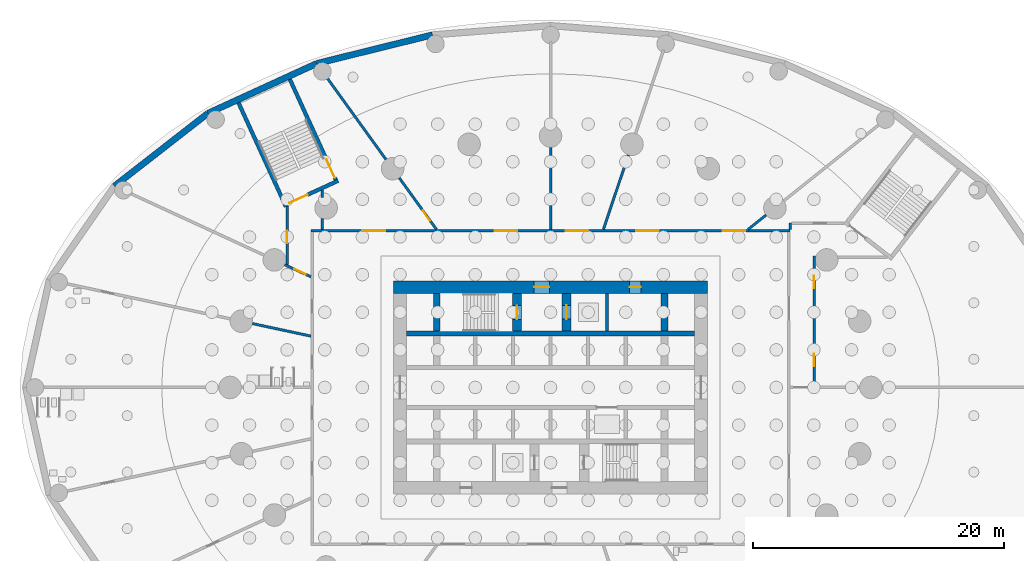
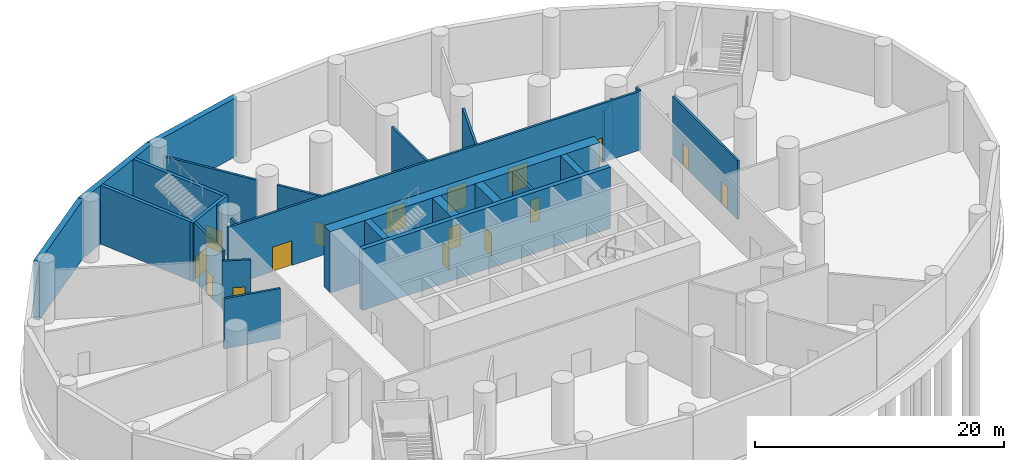
# One storey, part 6 of 12: 26 walls, 16 doors, 16 openings.
"""IFC4 building model written with IfcOpenShell, lengths in metres."""

from ifc_helpers import new_model, si_unit, direction, frame, frame_2d, origin, place, context, subcontext, project, spatial, rectangle, extrude, material, layer, layer_set, type_object, element, fill, save


model = new_model("IFC4")

# Units and contexts
model_context = context("Model", 3, precision=1e-05, world=origin(), true_north=direction((0.0, 1.0)))
body_context = subcontext(model_context, "Body", "Model", "MODEL_VIEW")
ifc_project = project(units=[si_unit("LENGTHUNIT", "METRE"), si_unit("AREAUNIT", "SQUARE_METRE"), si_unit("VOLUMEUNIT", "CUBIC_METRE"), si_unit("PLANEANGLEUNIT", "RADIAN"), si_unit("MASSUNIT", "GRAM", prefix="KILO")], contexts=[model_context])

# Site, building, storey
site_placement = place(None, origin())
site = spatial("IfcSite", under=ifc_project, at=site_placement, CompositionType="ELEMENT")
building_placement = place(site_placement, origin())
building = spatial("IfcBuilding", under=site, at=building_placement, Name="Hankou Lantern Tower", CompositionType="ELEMENT")
storey_placement = place(building_placement, frame((0.0, 0.0, -6.0)))
storey = spatial("IfcBuildingStorey", under=building, at=storey_placement, Name="B1", CompositionType="ELEMENT", Elevation=-6.0)

# Wall, openings, doors
ifc_material_1 = material(Name="Concrete C60", Category="concrete")
ifc_layer_1 = layer(ifc_material_1, 1.0)
ifc_layer_set_1 = layer_set([ifc_layer_1], Name="Concrete C60")
wall_type_1 = type_object("IfcWallType", Name="CW1 CORE WALL 1000", PredefinedType="SHEAR", material=ifc_layer_set_1)
wall_1_placement = place(storey_placement, frame((-12.5, 8.0, 0.0), z_axis=(0.0, 0.0, 1.0), x_axis=(1.0, 0.0, 0.0)))
wall_1 = element("IfcWall", 1, at=wall_1_placement, inside=storey, type_object=wall_type_1, Name="Core wall north B1", PredefinedType="SHEAR", context=body_context, shape_type="SweptSolid", body=[
    extrude(rectangle(XDim=25.0, YDim=1.0, at=frame_2d((12.5, 0.0))), origin(), (0.0, 0.0, 1.0), 6.0),
])
opening_1_placement = place(wall_1_placement, frame((11.199951171875, 0.0, 0.0)))
opening_1 = element("IfcOpeningElement", 2, at=opening_1_placement, cuts=wall_1, Name="Opening D5", PredefinedType="OPENING", context=body_context, shape_type="SweptSolid", body=[
    extrude(rectangle(XDim=1.199951171875, YDim=2.199951171875, at=frame_2d((0.60009765625, 1.10009765625))), frame((0.0, 0.510009765625, 0.0), z_axis=(0.0, -1.0, 0.0), x_axis=(1.0, 0.0, 0.0)), (0.0, 0.0, 1.0), 1.02001953125),
])
opening_2_placement = place(wall_1_placement, frame((18.800048828125, 0.0, 0.0)))
opening_2 = element("IfcOpeningElement", 3, at=opening_2_placement, cuts=wall_1, Name="Opening D7", PredefinedType="OPENING", context=body_context, shape_type="SweptSolid", body=[
    extrude(rectangle(XDim=0.89990234375, YDim=2.199951171875, at=frame_2d((0.449951171875, 1.10009765625))), frame((0.0, 0.510009765625, 0.0), z_axis=(0.0, -1.0, 0.0), x_axis=(1.0, 0.0, 0.0)), (0.0, 0.0, 1.0), 1.02001953125),
])
ifc_material_2 = material(Name="Steel door leaf", Category="steel")
door_type_1 = type_object("IfcDoorType", Name="D5 STAIR LOBBY DOOR 1200X2200", OperationType="SINGLE_SWING_LEFT", PredefinedType="DOOR", material=ifc_material_2)
door_1_placement = place(opening_1_placement, origin())
door_1 = element("IfcDoor", 4, at=door_1_placement, inside=storey, type_object=door_type_1, Name="Stair A lobby door", OperationType="SINGLE_SWING_LEFT", OverallHeight=2.199951171875, OverallWidth=1.199951171875, PredefinedType="DOOR", context=body_context, shape_type="SweptSolid", body=[
    extrude(rectangle(XDim=1.199951171875, YDim=2.199951171875, at=frame_2d((0.60009765625, 1.10009765625))), frame((0.0, 0.02490234375, 0.0), z_axis=(0.0, -1.0, 0.0), x_axis=(1.0, 0.0, 0.0)), (0.0, 0.0, 1.0), 0.050048828125),
])
fill(opening_1, door_1)
ifc_material_3 = material(Name="Steel door leaf", Category="steel")
door_type_2 = type_object("IfcDoorType", Name="D7 RISER DOOR 900X2200", OperationType="SINGLE_SWING_LEFT", PredefinedType="DOOR", material=ifc_material_3)
door_2_placement = place(opening_2_placement, origin())
door_2 = element("IfcDoor", 5, at=door_2_placement, inside=storey, type_object=door_type_2, Name="Riser N1 door", OperationType="SINGLE_SWING_RIGHT", OverallHeight=2.199951171875, OverallWidth=0.89990234375, PredefinedType="DOOR", context=body_context, shape_type="SweptSolid", body=[
    extrude(rectangle(XDim=0.89990234375, YDim=2.199951171875, at=frame_2d((0.449951171875, 1.10009765625))), frame((0.0, 0.02490234375, 0.0), z_axis=(0.0, -1.0, 0.0), x_axis=(1.0, 0.0, 0.0)), (0.0, 0.0, 1.0), 0.050048828125),
])
fill(opening_2, door_2)

# Wall
ifc_material_4 = material(Name="Concrete C60", Category="concrete")
ifc_layer_2 = layer(ifc_material_4, 0.39990234375)
ifc_layer_set_2 = layer_set([ifc_layer_2], Name="Concrete C60")
wall_type_2 = type_object("IfcWallType", Name="CW4 CORE CROSS WALL 400", PredefinedType="SHEAR", material=ifc_layer_set_2)
wall_2_placement = place(storey_placement, frame((-11.5, 4.300048828125, 0.0), z_axis=(0.0, 0.0, 1.0), x_axis=(1.0, 0.0, 0.0)))
element("IfcWall", 6, at=wall_2_placement, inside=storey, type_object=wall_type_2, Name="Core band wall north B1", PredefinedType="SHEAR", context=body_context, shape_type="SweptSolid", body=[
    extrude(rectangle(XDim=23.0, YDim=0.39990234375, at=frame_2d((11.5, 0.0))), origin(), (0.0, 0.0, 1.0), 6.0),
])

# Wall, opening, door
ifc_material_5 = material(Name="Concrete C50", Category="concrete")
ifc_layer_3 = layer(ifc_material_5, 0.300048828125)
ifc_layer_set_3 = layer_set([ifc_layer_3], Name="Concrete C50")
wall_type_3 = type_object("IfcWallType", Name="CW7 PODIUM STAIR WALL 300", PredefinedType="SHEAR", material=ifc_layer_set_3)
wall_3_placement = place(storey_placement, frame((-17.12548828125, 16.5595703125, 0.0), z_axis=(0.0, 0.0, 1.0), x_axis=(-0.41534319891, 0.909664788325, 0.0)))
wall_3 = element("IfcWall", 7, at=wall_3_placement, inside=storey, type_object=wall_type_3, Name="Basement stair BS2 wall", PredefinedType="SHEAR", context=body_context, shape_type="SweptSolid", body=[
    extrude(rectangle(XDim=8.81005859375, YDim=0.300048828125, at=frame_2d((4.405029296875, 0.0))), origin(), (0.0, 0.0, 1.0), 5.75),
])
opening_3_placement = place(wall_3_placement, frame((0.169921875, 0.0, 0.0)))
opening_3 = element("IfcOpeningElement", 8, at=opening_3_placement, cuts=wall_3, Name="Opening D16", PredefinedType="OPENING", context=body_context, shape_type="SweptSolid", body=[
    extrude(rectangle(XDim=1.60009765625, YDim=2.10009765625, at=frame_2d((0.800048828125, 1.050048828125))), frame((0.0, 0.159912109375, 0.0), z_axis=(0.0, -1.0, 0.0), x_axis=(1.0, 0.0, 0.0)), (0.0, 0.0, 1.0), 0.320068359375),
])
ifc_material_6 = material(Name="Steel door leaf", Category="steel")
door_type_3 = type_object("IfcDoorType", Name="D16 PODIUM STAIR DOOR 1600X2100", OperationType="SINGLE_SWING_LEFT", PredefinedType="DOOR", material=ifc_material_6)
door_3_placement = place(opening_3_placement, origin())
door_3 = element("IfcDoor", 9, at=door_3_placement, inside=storey, type_object=door_type_3, Name="Basement stair BS2 east door", OperationType="SINGLE_SWING_LEFT", OverallHeight=2.10009765625, OverallWidth=1.60009765625, PredefinedType="DOOR", context=body_context, shape_type="SweptSolid", body=[
    extrude(rectangle(XDim=1.60009765625, YDim=2.10009765625, at=frame_2d((0.800048828125, 1.050048828125))), frame((0.0, 0.02490234375, 0.0), z_axis=(0.0, -1.0, 0.0), x_axis=(1.0, 0.0, 0.0)), (0.0, 0.0, 1.0), 0.050048828125),
])
fill(opening_3, door_3)

# Wall
wall_4_placement = place(storey_placement, frame((-24.878173828125, 22.704833984375, 0.0), z_axis=(0.0, 0.0, 1.0), x_axis=(0.41534319891, -0.909664788325, 0.0)))
element("IfcWall", 10, at=wall_4_placement, inside=storey, type_object=wall_type_3, Name="Basement stair BS2 wall", PredefinedType="SHEAR", context=body_context, shape_type="SweptSolid", body=[
    extrude(rectangle(XDim=8.81005859375, YDim=0.300048828125, at=frame_2d((4.405029296875, 0.0))), origin(), (0.0, 0.0, 1.0), 5.75),
])

# Wall, opening, door
wall_5_placement = place(storey_placement, frame((-21.293212890625, 14.49169921875, 0.0), z_axis=(0.0, 0.0, 1.0), x_axis=(0.90966669911, 0.415339013975, 0.0)))
wall_5 = element("IfcWall", 11, at=wall_5_placement, inside=storey, type_object=wall_type_3, Name="Basement stair BS2 wall", PredefinedType="SHEAR", context=body_context, shape_type="SweptSolid", body=[
    extrude(rectangle(XDim=4.800048828125, YDim=0.300048828125, at=frame_2d((2.39990234375, 0.0))), origin(), (0.0, 0.0, 1.0), 5.75),
])
opening_4_placement = place(wall_5_placement, frame((0.5, 0.0, 0.0)))
opening_4 = element("IfcOpeningElement", 12, at=opening_4_placement, cuts=wall_5, Name="Opening D16", PredefinedType="OPENING", context=body_context, shape_type="SweptSolid", body=[
    extrude(rectangle(XDim=1.60009765625, YDim=2.10009765625, at=frame_2d((0.800048828125, 1.050048828125))), frame((0.0, 0.159912109375, 0.0), z_axis=(0.0, -1.0, 0.0), x_axis=(1.0, 0.0, 0.0)), (0.0, 0.0, 1.0), 0.320068359375),
])
door_4_placement = place(opening_4_placement, origin())
door_4 = element("IfcDoor", 13, at=door_4_placement, inside=storey, type_object=door_type_3, Name="Basement stair BS2 door", OperationType="SINGLE_SWING_LEFT", OverallHeight=2.10009765625, OverallWidth=1.60009765625, PredefinedType="DOOR", context=body_context, shape_type="SweptSolid", body=[
    extrude(rectangle(XDim=1.60009765625, YDim=2.10009765625, at=frame_2d((0.800048828125, 1.050048828125))), frame((0.0, 0.02490234375, 0.0), z_axis=(0.0, -1.0, 0.0), x_axis=(1.0, 0.0, 0.0)), (0.0, 0.0, 1.0), 0.050048828125),
])
fill(opening_4, door_4)

# Walls
ifc_material_7 = material(Name="Concrete C60", Category="concrete")
ifc_layer_4 = layer(ifc_material_7, 0.550048828125)
ifc_layer_set_4 = layer_set([ifc_layer_4], Name="Concrete C60")
wall_type_4 = type_object("IfcWallType", Name="CW8 CORE CROSS WALL 550", PredefinedType="SHEAR", material=ifc_layer_set_4)
for number, where, z_axis, x_axis, name in (
    (14, (-9.074951171875, 4.5, 0.0), (0.0, 0.0, 1.0), (0.0, 1.0, 0.0), "Core strip wall B1"),
    (15, (9.074951171875, 4.5, 0.0), (0.0, 0.0, 1.0), (0.0, 1.0, 0.0), "Core strip wall B1"),
):
    element("IfcWall", number, at=place(storey_placement, frame(where, z_axis=z_axis, x_axis=x_axis)), inside=storey, type_object=wall_type_4, Name=name, PredefinedType="SHEAR", context=body_context, shape_type="SweptSolid", body=[
        extrude(rectangle(XDim=3.0, YDim=0.550048828125, at=frame_2d((1.5, 0.0))), origin(), (0.0, 0.0, 1.0), 6.0),
    ])

# Wall, opening, door
ifc_material_8 = material(Name="Concrete C60", Category="concrete")
ifc_layer_5 = layer(ifc_material_8, 0.75)
ifc_layer_set_5 = layer_set([ifc_layer_5], Name="Concrete C60")
wall_type_5 = type_object("IfcWallType", Name="CW9 STAIR AND SHAFT WALL 750", PredefinedType="SHEAR", material=ifc_layer_set_5)
wall_6_placement = place(storey_placement, frame((-2.675048828125, 4.5, 0.0), z_axis=(0.0, 0.0, 1.0), x_axis=(0.0, 1.0, 0.0)))
wall_6 = element("IfcWall", 16, at=wall_6_placement, inside=storey, type_object=wall_type_5, Name="Stair wall B1", PredefinedType="SHEAR", context=body_context, shape_type="SweptSolid", body=[
    extrude(rectangle(XDim=3.0, YDim=0.75, at=frame_2d((1.5, 0.0))), origin(), (0.0, 0.0, 1.0), 6.0),
])
opening_5_placement = place(wall_6_placement, frame((0.925048828125, 0.0, 0.0)))
opening_5 = element("IfcOpeningElement", 17, at=opening_5_placement, cuts=wall_6, Name="Opening D4", PredefinedType="OPENING", context=body_context, shape_type="SweptSolid", body=[
    extrude(rectangle(XDim=1.10009765625, YDim=2.199951171875, at=frame_2d((0.550048828125, 1.10009765625))), frame((0.0, 0.385009765625, 0.0), z_axis=(0.0, -1.0, 0.0), x_axis=(1.0, 0.0, 0.0)), (0.0, 0.0, 1.0), 0.77001953125),
])
ifc_material_9 = material(Name="Steel door leaf", Category="steel")
door_type_4 = type_object("IfcDoorType", Name="D4 STAIR DOOR 1100X2200", OperationType="SINGLE_SWING_LEFT", PredefinedType="DOOR", material=ifc_material_9)
door_5_placement = place(opening_5_placement, origin())
door_5 = element("IfcDoor", 18, at=door_5_placement, inside=storey, type_object=door_type_4, Name="Stair A door", OperationType="SINGLE_SWING_LEFT", OverallHeight=2.199951171875, OverallWidth=1.10009765625, PredefinedType="DOOR", context=body_context, shape_type="SweptSolid", body=[
    extrude(rectangle(XDim=1.10009765625, YDim=2.199951171875, at=frame_2d((0.550048828125, 1.10009765625))), frame((0.0, 0.02490234375, 0.0), z_axis=(0.0, -1.0, 0.0), x_axis=(1.0, 0.0, 0.0)), (0.0, 0.0, 1.0), 0.050048828125),
])
fill(opening_5, door_5)

wall_7_placement = place(storey_placement, frame((1.27490234375, 4.5, 0.0), z_axis=(0.0, 0.0, 1.0), x_axis=(0.0, 1.0, 0.0)))
wall_7 = element("IfcWall", 19, at=wall_7_placement, inside=storey, type_object=wall_type_5, Name="Firefighting lift shaft wall B1", PredefinedType="SHEAR", context=body_context, shape_type="SweptSolid", body=[
    extrude(rectangle(XDim=3.0, YDim=0.75, at=frame_2d((1.5, 0.0))), origin(), (0.0, 0.0, 1.0), 6.0),
])
opening_6_placement = place(wall_7_placement, frame((0.949951171875, 0.0, 0.0)))
opening_6 = element("IfcOpeningElement", 20, at=opening_6_placement, cuts=wall_7, Name="Opening LD2", PredefinedType="OPENING", context=body_context, shape_type="SweptSolid", body=[
    extrude(rectangle(XDim=1.10009765625, YDim=2.199951171875, at=frame_2d((0.550048828125, 1.10009765625))), frame((0.0, 0.385009765625, 0.0), z_axis=(0.0, -1.0, 0.0), x_axis=(1.0, 0.0, 0.0)), (0.0, 0.0, 1.0), 0.77001953125),
])
ifc_material_10 = material(Name="Steel door leaf", Category="steel")
door_type_5 = type_object("IfcDoorType", Name="LD2 FIREFIGHTING LIFT LANDING DOOR 1100X2200", OperationType="DOUBLE_DOOR_SLIDING", PredefinedType="DOOR", material=ifc_material_10)
door_6_placement = place(opening_6_placement, origin())
door_6 = element("IfcDoor", 21, at=door_6_placement, inside=storey, type_object=door_type_5, Name="Firefighting lift FL1 landing door", OperationType="DOUBLE_DOOR_SLIDING", OverallHeight=2.199951171875, OverallWidth=1.10009765625, PredefinedType="DOOR", context=body_context, shape_type="SweptSolid", body=[
    extrude(rectangle(XDim=1.10009765625, YDim=2.199951171875, at=frame_2d((0.550048828125, 1.10009765625))), frame((0.0, 0.02490234375, 0.0), z_axis=(0.0, -1.0, 0.0), x_axis=(1.0, 0.0, 0.0)), (0.0, 0.0, 1.0), 0.050048828125),
])
fill(opening_6, door_6)

# Wall, openings, doors
ifc_material_11 = material(Name="Masonry dense concrete block", Category="masonry")
ifc_layer_6 = layer(ifc_material_11, 0.199951171875)
ifc_layer_set_6 = layer_set([ifc_layer_6], Name="Masonry dense concrete block")
wall_type_6 = type_object("IfcWallType", Name="FW1 COMPARTMENT FIRE WALL 200", PredefinedType="PARTITIONING", material=ifc_layer_set_6)
wall_8_placement = place(storey_placement, frame((-19.10009765625, 12.5, 0.0), z_axis=(0.0, 0.0, 1.0), x_axis=(1.0, 0.0, 0.0)))
wall_8 = element("IfcWall", 22, at=wall_8_placement, inside=storey, type_object=wall_type_6, Name="Foyer fire wall north", PredefinedType="PARTITIONING", context=body_context, shape_type="SweptSolid", body=[
    extrude(rectangle(XDim=38.2001953125, YDim=0.199951171875, at=frame_2d((19.10009765625, 0.0))), origin(), (0.0, 0.0, 1.0), 5.75),
])
opening_7_placement = place(wall_8_placement, frame((25.920166015625, 0.0, 0.0)))
opening_7 = element("IfcOpeningElement", 23, at=opening_7_placement, cuts=wall_8, Name="Opening D9", PredefinedType="OPENING", context=body_context, shape_type="SweptSolid", body=[
    extrude(rectangle(XDim=1.800048828125, YDim=2.39990234375, at=frame_2d((0.89990234375, 1.199951171875))), frame((0.0, 0.10986328125, 0.0), z_axis=(0.0, -1.0, 0.0), x_axis=(1.0, 0.0, 0.0)), (0.0, 0.0, 1.0), 0.219970703125),
])
opening_8_placement = place(wall_8_placement, frame((20.31005859375, 0.0, 0.0)))
opening_8 = element("IfcOpeningElement", 24, at=opening_8_placement, cuts=wall_8, Name="Opening D9", PredefinedType="OPENING", context=body_context, shape_type="SweptSolid", body=[
    extrude(rectangle(XDim=1.800048828125, YDim=2.39990234375, at=frame_2d((0.89990234375, 1.199951171875))), frame((0.0, 0.10986328125, 0.0), z_axis=(0.0, -1.0, 0.0), x_axis=(1.0, 0.0, 0.0)), (0.0, 0.0, 1.0), 0.219970703125),
])
opening_9_placement = place(wall_8_placement, frame((14.6533203125, 0.0, 0.0)))
opening_9 = element("IfcOpeningElement", 25, at=opening_9_placement, cuts=wall_8, Name="Opening D9", PredefinedType="OPENING", context=body_context, shape_type="SweptSolid", body=[
    extrude(rectangle(XDim=1.800048828125, YDim=2.39990234375, at=frame_2d((0.89990234375, 1.199951171875))), frame((0.0, 0.10986328125, 0.0), z_axis=(0.0, -1.0, 0.0), x_axis=(1.0, 0.0, 0.0)), (0.0, 0.0, 1.0), 0.219970703125),
])
opening_10_placement = place(wall_8_placement, frame((4.103271484375, 0.0, 0.0)))
opening_10 = element("IfcOpeningElement", 26, at=opening_10_placement, cuts=wall_8, Name="Opening D9", PredefinedType="OPENING", context=body_context, shape_type="SweptSolid", body=[
    extrude(rectangle(XDim=1.800048828125, YDim=2.39990234375, at=frame_2d((0.89990234375, 1.199951171875))), frame((0.0, 0.10986328125, 0.0), z_axis=(0.0, -1.0, 0.0), x_axis=(1.0, 0.0, 0.0)), (0.0, 0.0, 1.0), 0.219970703125),
])
opening_11_placement = place(wall_8_placement, frame((32.8203125, 0.0, 0.0)))
opening_11 = element("IfcOpeningElement", 27, at=opening_11_placement, cuts=wall_8, Name="Opening D9", PredefinedType="OPENING", context=body_context, shape_type="SweptSolid", body=[
    extrude(rectangle(XDim=1.800048828125, YDim=2.39990234375, at=frame_2d((0.89990234375, 1.199951171875))), frame((0.0, 0.10986328125, 0.0), z_axis=(0.0, -1.0, 0.0), x_axis=(1.0, 0.0, 0.0)), (0.0, 0.0, 1.0), 0.219970703125),
])
ifc_material_12 = material(Name="Steel door leaf", Category="steel")
door_type_6 = type_object("IfcDoorType", Name="D9 PLANT ROOM DOOR 1800X2400", OperationType="DOUBLE_DOOR_DOUBLE_SWING", PredefinedType="DOOR", material=ifc_material_12)
door_7_placement = place(opening_7_placement, origin())
door_7 = element("IfcDoor", 28, at=door_7_placement, inside=storey, type_object=door_type_6, Name="Electrical substation door", OperationType="DOUBLE_DOOR_DOUBLE_SWING", OverallHeight=2.39990234375, OverallWidth=1.800048828125, PredefinedType="DOOR", context=body_context, shape_type="SweptSolid", body=[
    extrude(rectangle(XDim=1.800048828125, YDim=2.39990234375, at=frame_2d((0.89990234375, 1.199951171875))), frame((0.0, 0.02490234375, 0.0), z_axis=(0.0, -1.0, 0.0), x_axis=(1.0, 0.0, 0.0)), (0.0, 0.0, 1.0), 0.050048828125),
])
fill(opening_7, door_7)
door_8_placement = place(opening_8_placement, origin())
door_8 = element("IfcDoor", 29, at=door_8_placement, inside=storey, type_object=door_type_6, Name="Generator room door", OperationType="DOUBLE_DOOR_DOUBLE_SWING", OverallHeight=2.39990234375, OverallWidth=1.800048828125, PredefinedType="DOOR", context=body_context, shape_type="SweptSolid", body=[
    extrude(rectangle(XDim=1.800048828125, YDim=2.39990234375, at=frame_2d((0.89990234375, 1.199951171875))), frame((0.0, 0.02490234375, 0.0), z_axis=(0.0, -1.0, 0.0), x_axis=(1.0, 0.0, 0.0)), (0.0, 0.0, 1.0), 0.050048828125),
])
fill(opening_8, door_8)
door_9_placement = place(opening_9_placement, origin())
door_9 = element("IfcDoor", 30, at=door_9_placement, inside=storey, type_object=door_type_6, Name="Fire pump room door", OperationType="DOUBLE_DOOR_DOUBLE_SWING", OverallHeight=2.39990234375, OverallWidth=1.800048828125, PredefinedType="DOOR", context=body_context, shape_type="SweptSolid", body=[
    extrude(rectangle(XDim=1.800048828125, YDim=2.39990234375, at=frame_2d((0.89990234375, 1.199951171875))), frame((0.0, 0.02490234375, 0.0), z_axis=(0.0, -1.0, 0.0), x_axis=(1.0, 0.0, 0.0)), (0.0, 0.0, 1.0), 0.050048828125),
])
fill(opening_9, door_9)
door_10_placement = place(opening_10_placement, origin())
door_10 = element("IfcDoor", 31, at=door_10_placement, inside=storey, type_object=door_type_6, Name="Water tank room door", OperationType="DOUBLE_DOOR_DOUBLE_SWING", OverallHeight=2.39990234375, OverallWidth=1.800048828125, PredefinedType="DOOR", context=body_context, shape_type="SweptSolid", body=[
    extrude(rectangle(XDim=1.800048828125, YDim=2.39990234375, at=frame_2d((0.89990234375, 1.199951171875))), frame((0.0, 0.02490234375, 0.0), z_axis=(0.0, -1.0, 0.0), x_axis=(1.0, 0.0, 0.0)), (0.0, 0.0, 1.0), 0.050048828125),
])
fill(opening_10, door_10)
door_11_placement = place(opening_11_placement, origin())
door_11 = element("IfcDoor", 32, at=door_11_placement, inside=storey, type_object=door_type_6, Name="Electrical substation second door", OperationType="DOUBLE_DOOR_DOUBLE_SWING", OverallHeight=2.39990234375, OverallWidth=1.800048828125, PredefinedType="DOOR", context=body_context, shape_type="SweptSolid", body=[
    extrude(rectangle(XDim=1.800048828125, YDim=2.39990234375, at=frame_2d((0.89990234375, 1.199951171875))), frame((0.0, 0.02490234375, 0.0), z_axis=(0.0, -1.0, 0.0), x_axis=(1.0, 0.0, 0.0)), (0.0, 0.0, 1.0), 0.050048828125),
])
fill(opening_11, door_11)

# Walls
wall_9_placement = place(storey_placement, frame((15.75, 12.60009765625, 0.0), z_axis=(0.0, 0.0, 1.0), x_axis=(0.780881734892, 0.6246788904, 0.0)))
element("IfcWall", 33, at=wall_9_placement, inside=storey, type_object=wall_type_6, Name="Fire wall R04", PredefinedType="PARTITIONING", context=body_context, shape_type="SweptSolid", body=[
    extrude(rectangle(XDim=1.8427734375, YDim=0.199951171875, at=frame_2d((0.92138671875, 0.0))), origin(), (0.0, 0.0, 1.0), 4.89990234375),
])
wall_10_placement = place(storey_placement, frame((-19.10009765625, 4.09423828125, 0.0), z_axis=(0.0, 0.0, 1.0), x_axis=(-0.977784445586, 0.209612924148, 0.0)))
element("IfcWall", 34, at=wall_10_placement, inside=storey, type_object=wall_type_6, Name="Fire wall R12", PredefinedType="PARTITIONING", context=body_context, shape_type="SweptSolid", body=[
    extrude(rectangle(XDim=4.77294921875, YDim=0.199951171875, at=frame_2d((2.386474609375, 0.0))), origin(), (0.0, 0.0, 1.0), 4.89990234375),
])
ifc_material_13 = material(Name="Masonry dense concrete block", Category="masonry")
ifc_layer_7 = layer(ifc_material_13, 0.199951171875)
ifc_layer_set_7 = layer_set([ifc_layer_7], Name="Masonry dense concrete block")
wall_type_7 = type_object("IfcWallType", Name="IW9 2 H FIRE PARTITION 200", PredefinedType="PARTITIONING", material=ifc_layer_set_7)
wall_11_placement = place(storey_placement, frame((4.22021484375, 12.60009765625, 0.0), z_axis=(0.0, 0.0, 1.0), x_axis=(0.317584173452, 0.9482300843, 0.0)))
element("IfcWall", 35, at=wall_11_placement, inside=storey, type_object=wall_type_7, Name="Partition R06", PredefinedType="PARTITIONING", context=body_context, shape_type="SweptSolid", body=[
    extrude(rectangle(XDim=6.26220703125, YDim=0.199951171875, at=frame_2d((3.131103515625, 0.0))), origin(), (0.0, 0.0, 1.0), 4.89990234375),
])
wall_12_placement = place(storey_placement, frame((0.0, 12.60009765625, 0.0), z_axis=(0.0, 0.0, 1.0), x_axis=(0.0, 1.0, 0.0)))
element("IfcWall", 36, at=wall_12_placement, inside=storey, type_object=wall_type_7, Name="Partition R07", PredefinedType="PARTITIONING", context=body_context, shape_type="SweptSolid", body=[
    extrude(rectangle(XDim=6.5498046875, YDim=0.199951171875, at=frame_2d((3.27490234375, 0.0))), origin(), (0.0, 0.0, 1.0), 4.89990234375),
])

# Wall, opening, door
wall_13_placement = place(storey_placement, frame((-9.09326171875, 12.60009765625, 0.0), z_axis=(0.0, 0.0, 1.0), x_axis=(-0.58522538525, 0.810870673079, 0.0)))
wall_13 = element("IfcWall", 37, at=wall_13_placement, inside=storey, type_object=wall_type_7, Name="Partition R09", PredefinedType="PARTITIONING", context=body_context, shape_type="SweptSolid", body=[
    extrude(rectangle(XDim=5.07666015625, YDim=0.199951171875, at=frame_2d((2.538330078125, 0.0))), origin(), (0.0, 0.0, 1.0), 4.89990234375),
])
opening_12_placement = place(wall_13_placement, frame((0.85009765625, 0.0, 0.0)))
opening_12 = element("IfcOpeningElement", 38, at=opening_12_placement, cuts=wall_13, Name="Opening D28", PredefinedType="OPENING", context=body_context, shape_type="SweptSolid", body=[
    extrude(rectangle(XDim=1.0, YDim=2.199951171875, at=frame_2d((0.5, 1.10009765625))), frame((0.0, 0.10986328125, 0.0), z_axis=(0.0, -1.0, 0.0), x_axis=(1.0, 0.0, 0.0)), (0.0, 0.0, 1.0), 0.219970703125),
])
ifc_material_14 = material(Name="Steel door leaf", Category="steel")
door_type_7 = type_object("IfcDoorType", Name="D28 SERVICE DOOR 1000X2200", OperationType="SINGLE_SWING_LEFT", PredefinedType="DOOR", material=ifc_material_14)
door_12_placement = place(opening_12_placement, origin())
door_12 = element("IfcDoor", 39, at=door_12_placement, inside=storey, type_object=door_type_7, Name="Fire pump room door to approach hall", OperationType="SINGLE_SWING_LEFT", OverallHeight=2.199951171875, OverallWidth=1.0, PredefinedType="DOOR", context=body_context, shape_type="SweptSolid", body=[
    extrude(rectangle(XDim=1.0, YDim=2.199951171875, at=frame_2d((0.5, 1.10009765625))), frame((0.0, 0.02490234375, 0.0), z_axis=(0.0, -1.0, 0.0), x_axis=(1.0, 0.0, 0.0)), (0.0, 0.0, 1.0), 0.050048828125),
])
fill(opening_12, door_12)

# Wall
wall_14_placement = place(storey_placement, frame((-13.11767578125, 18.17626953125, 0.0), z_axis=(0.0, 0.0, 1.0), x_axis=(-0.585204349301, 0.810885854828, 0.0)))
element("IfcWall", 40, at=wall_14_placement, inside=storey, type_object=wall_type_7, Name="Partition R09", PredefinedType="PARTITIONING", context=body_context, shape_type="SweptSolid", body=[
    extrude(rectangle(XDim=8.1611328125, YDim=0.199951171875, at=frame_2d((4.08056640625, 0.0))), origin(), (0.0, 0.0, 1.0), 4.85009765625),
])

# Wall, opening, door
wall_15_placement = place(storey_placement, frame((-21.2021484375, 9.792724609375, 0.0), z_axis=(0.0, 0.0, 1.0), x_axis=(0.907872952542, -0.419245395971, 0.0)))
wall_15 = element("IfcWall", 41, at=wall_15_placement, inside=storey, type_object=wall_type_7, Name="Partition R11", PredefinedType="PARTITIONING", context=body_context, shape_type="SweptSolid", body=[
    extrude(rectangle(XDim=2.3154296875, YDim=0.199951171875, at=frame_2d((1.15771484375, 0.0))), origin(), (0.0, 0.0, 1.0), 4.85009765625),
])
opening_13_placement = place(wall_15_placement, frame((0.865478515625, 0.0, 0.0)))
opening_13 = element("IfcOpeningElement", 42, at=opening_13_placement, cuts=wall_15, Name="Opening D28", PredefinedType="OPENING", context=body_context, shape_type="SweptSolid", body=[
    extrude(rectangle(XDim=1.0, YDim=2.199951171875, at=frame_2d((0.5, 1.10009765625))), frame((0.0, 0.10986328125, 0.0), z_axis=(0.0, -1.0, 0.0), x_axis=(1.0, 0.0, 0.0)), (0.0, 0.0, 1.0), 0.219970703125),
])
door_13_placement = place(opening_13_placement, origin())
door_13 = element("IfcDoor", 43, at=door_13_placement, inside=storey, type_object=door_type_7, Name="Male staff locker room door to strip", OperationType="SINGLE_SWING_LEFT", OverallHeight=2.199951171875, OverallWidth=1.0, PredefinedType="DOOR", context=body_context, shape_type="SweptSolid", body=[
    extrude(rectangle(XDim=1.0, YDim=2.199951171875, at=frame_2d((0.5, 1.10009765625))), frame((0.0, 0.02490234375, 0.0), z_axis=(0.0, -1.0, 0.0), x_axis=(1.0, 0.0, 0.0)), (0.0, 0.0, 1.0), 0.050048828125),
])
fill(opening_13, door_13)

# Wall
wall_16_placement = place(storey_placement, frame((19.10009765625, 13.10009765625, 0.0), z_axis=(0.0, 0.0, 1.0), x_axis=(0.0, -1.0, 0.0)))
element("IfcWall", 44, at=wall_16_placement, inside=storey, type_object=wall_type_7, Name="Access strip BS1 wall", PredefinedType="PARTITIONING", context=body_context, shape_type="SweptSolid", body=[
    extrude(rectangle(XDim=0.5, YDim=0.199951171875, at=frame_2d((0.25, 0.0))), origin(), (0.0, 0.0, 1.0), 5.75),
])

# Wall, openings, doors
wall_17_placement = place(storey_placement, frame((21.02001953125, 0.10009765625, 0.0), z_axis=(0.0, 0.0, 1.0), x_axis=(0.0, 1.0, 0.0)))
wall_17 = element("IfcWall", 45, at=wall_17_placement, inside=storey, type_object=wall_type_7, Name="Access strip BS1 wall", PredefinedType="PARTITIONING", context=body_context, shape_type="SweptSolid", body=[
    extrude(rectangle(XDim=10.39990234375, YDim=0.199951171875, at=frame_2d((5.199951171875, 0.0))), origin(), (0.0, 0.0, 1.0), 5.75),
])
opening_14_placement = place(wall_17_placement, frame((1.60009765625, 0.0, 0.0)))
opening_14 = element("IfcOpeningElement", 46, at=opening_14_placement, cuts=wall_17, Name="Opening D40", PredefinedType="OPENING", context=body_context, shape_type="SweptSolid", body=[
    extrude(rectangle(XDim=1.0, YDim=2.199951171875, at=frame_2d((0.5, 1.10009765625))), frame((0.0, 0.10986328125, 0.0), z_axis=(0.0, -1.0, 0.0), x_axis=(1.0, 0.0, 0.0)), (0.0, 0.0, 1.0), 0.219970703125),
])
opening_15_placement = place(wall_17_placement, frame((7.800048828125, 0.0, 0.0)))
opening_15 = element("IfcOpeningElement", 47, at=opening_15_placement, cuts=wall_17, Name="Opening D40", PredefinedType="OPENING", context=body_context, shape_type="SweptSolid", body=[
    extrude(rectangle(XDim=1.0, YDim=2.199951171875, at=frame_2d((0.5, 1.10009765625))), frame((0.0, 0.10986328125, 0.0), z_axis=(0.0, -1.0, 0.0), x_axis=(1.0, 0.0, 0.0)), (0.0, 0.0, 1.0), 0.219970703125),
])
ifc_material_15 = material(Name="Steel door leaf", Category="steel")
door_type_8 = type_object("IfcDoorType", Name="D40 CLASS A ROOM DOOR 1000X2200", OperationType="SINGLE_SWING_LEFT", PredefinedType="DOOR", material=ifc_material_15)
door_14_placement = place(opening_14_placement, origin())
door_14 = element("IfcDoor", 48, at=door_14_placement, inside=storey, type_object=door_type_8, Name="Chiller plant room door to strip 1", OperationType="SINGLE_SWING_LEFT", OverallHeight=2.199951171875, OverallWidth=1.0, PredefinedType="DOOR", context=body_context, shape_type="SweptSolid", body=[
    extrude(rectangle(XDim=1.0, YDim=2.199951171875, at=frame_2d((0.5, 1.10009765625))), frame((0.0, 0.02490234375, 0.0), z_axis=(0.0, -1.0, 0.0), x_axis=(1.0, 0.0, 0.0)), (0.0, 0.0, 1.0), 0.050048828125),
])
fill(opening_14, door_14)
door_15_placement = place(opening_15_placement, origin())
door_15 = element("IfcDoor", 49, at=door_15_placement, inside=storey, type_object=door_type_8, Name="Chiller plant room door to strip 2", OperationType="SINGLE_SWING_LEFT", OverallHeight=2.199951171875, OverallWidth=1.0, PredefinedType="DOOR", context=body_context, shape_type="SweptSolid", body=[
    extrude(rectangle(XDim=1.0, YDim=2.199951171875, at=frame_2d((0.5, 1.10009765625))), frame((0.0, 0.02490234375, 0.0), z_axis=(0.0, -1.0, 0.0), x_axis=(1.0, 0.0, 0.0)), (0.0, 0.0, 1.0), 0.050048828125),
])
fill(opening_15, door_15)

# Wall, opening, door
wall_18_placement = place(storey_placement, frame((-21.0, 14.460693359375, 0.0), z_axis=(0.0, 0.0, 1.0), x_axis=(0.0, -1.0, 0.0)))
wall_18 = element("IfcWall", 50, at=wall_18_placement, inside=storey, type_object=wall_type_7, Name="Access strip BS2 wall", PredefinedType="PARTITIONING", context=body_context, shape_type="SweptSolid", body=[
    extrude(rectangle(XDim=4.651123046875, YDim=0.199951171875, at=frame_2d((2.32568359375, 0.0))), origin(), (0.0, 0.0, 1.0), 5.75),
])
opening_16_placement = place(wall_18_placement, frame((1.960693359375, 0.0, 0.0)))
opening_16 = element("IfcOpeningElement", 51, at=opening_16_placement, cuts=wall_18, Name="Opening D28", PredefinedType="OPENING", context=body_context, shape_type="SweptSolid", body=[
    extrude(rectangle(XDim=1.0, YDim=2.199951171875, at=frame_2d((0.5, 1.10009765625))), frame((0.0, 0.10986328125, 0.0), z_axis=(0.0, -1.0, 0.0), x_axis=(1.0, 0.0, 0.0)), (0.0, 0.0, 1.0), 0.219970703125),
])
door_16_placement = place(opening_16_placement, origin())
door_16 = element("IfcDoor", 52, at=door_16_placement, inside=storey, type_object=door_type_7, Name="Water tank room door to strip", OperationType="SINGLE_SWING_RIGHT", OverallHeight=2.199951171875, OverallWidth=1.0, PredefinedType="DOOR", context=body_context, shape_type="SweptSolid", body=[
    extrude(rectangle(XDim=1.0, YDim=2.199951171875, at=frame_2d((0.5, 1.10009765625))), frame((0.0, 0.02490234375, 0.0), z_axis=(0.0, -1.0, 0.0), x_axis=(1.0, 0.0, 0.0)), (0.0, 0.0, 1.0), 0.050048828125),
])
fill(opening_16, door_16)

# Walls
wall_19_placement = place(storey_placement, frame((-18.199951171875, 15.7392578125, 0.0), z_axis=(0.0, 0.0, 1.0), x_axis=(0.0, -1.0, 0.0)))
element("IfcWall", 53, at=wall_19_placement, inside=storey, type_object=wall_type_7, Name="Access strip BS2 wall", PredefinedType="PARTITIONING", context=body_context, shape_type="SweptSolid", body=[
    extrude(rectangle(XDim=0.580810546875, YDim=0.199951171875, at=frame_2d((0.29052734375, 0.0))), origin(), (0.0, 0.0, 1.0), 5.75),
])
wall_20_placement = place(storey_placement, frame((-18.199951171875, 13.46826171875, 0.0), z_axis=(0.0, 0.0, 1.0), x_axis=(0.0, -1.0, 0.0)))
element("IfcWall", 54, at=wall_20_placement, inside=storey, type_object=wall_type_7, Name="Access strip BS2 wall", PredefinedType="PARTITIONING", context=body_context, shape_type="SweptSolid", body=[
    extrude(rectangle(XDim=0.8681640625, YDim=0.199951171875, at=frame_2d((0.43408203125, 0.0))), origin(), (0.0, 0.0, 1.0), 5.75),
])
ifc_material_16 = material(Name="Concrete C40", Category="concrete")
ifc_layer_8 = layer(ifc_material_16, 0.5)
ifc_layer_set_8 = layer_set([ifc_layer_8], Name="Concrete C40")
wall_type_8 = type_object("IfcWallType", Name="RW1 BASEMENT RETAINING WALL 500", PredefinedType="SOLIDWALL", material=ifc_layer_set_8)
wall_21_placement = place(storey_placement, frame((-9.415283203125, 28.1103515625, 0.0), z_axis=(0.0, 0.0, 1.0), x_axis=(-0.97078133687, -0.239965822533, 0.0)))
element("IfcWall", 55, at=wall_21_placement, inside=storey, type_object=wall_type_8, Name="Basement retaining wall R08", PredefinedType="SOLIDWALL", context=body_context, shape_type="SweptSolid", body=[
    extrude(rectangle(XDim=9.50341796875, YDim=0.5, at=frame_2d((4.751708984375, 0.0))), origin(), (0.0, 0.0, 1.0), 5.75),
])
wall_22_placement = place(storey_placement, frame((-18.64111328125, 25.829833984375, 0.0), z_axis=(0.0, 0.0, 1.0), x_axis=(-0.909171365198, -0.416422176047, 0.0)))
element("IfcWall", 56, at=wall_22_placement, inside=storey, type_object=wall_type_8, Name="Basement retaining wall R09", PredefinedType="SOLIDWALL", context=body_context, shape_type="SweptSolid", body=[
    extrude(rectangle(XDim=9.544677734375, YDim=0.5, at=frame_2d((4.7724609375, 0.0))), origin(), (0.0, 0.0, 1.0), 5.75),
])
wall_23_placement = place(storey_placement, frame((-27.31884765625, 21.855224609375, 0.0), z_axis=(0.0, 0.0, 1.0), x_axis=(-0.789189230142, -0.614150111152, 0.0)))
element("IfcWall", 57, at=wall_23_placement, inside=storey, type_object=wall_type_8, Name="Basement retaining wall R10", PredefinedType="SOLIDWALL", context=body_context, shape_type="SweptSolid", body=[
    extrude(rectangle(XDim=9.4384765625, YDim=0.5, at=frame_2d((4.71923828125, 0.0))), origin(), (0.0, 0.0, 1.0), 5.75),
])
ifc_material_17 = material(Name="Masonry autoclaved aerated concrete block", Category="masonry")
ifc_layer_9 = layer(ifc_material_17, 0.25)
ifc_layer_set_9 = layer_set([ifc_layer_9], Name="Masonry autoclaved aerated concrete block")
wall_type_9 = type_object("IfcWallType", Name="SW1 SHAFT BLOCK WALL 250", PredefinedType="PARTITIONING", material=ifc_layer_set_9)
wall_24_placement = place(storey_placement, frame((4.5, 4.5, 0.0), z_axis=(0.0, 0.0, 1.0), x_axis=(0.0, 1.0, 0.0)))
element("IfcWall", 58, at=wall_24_placement, inside=storey, type_object=wall_type_9, Name="Riser wall B1", PredefinedType="PARTITIONING", context=body_context, shape_type="SweptSolid", body=[
    extrude(rectangle(XDim=3.0, YDim=0.25, at=frame_2d((1.5, 0.0))), origin(), (0.0, 0.0, 1.0), 6.0),
])

save(model, "model.ifc")
